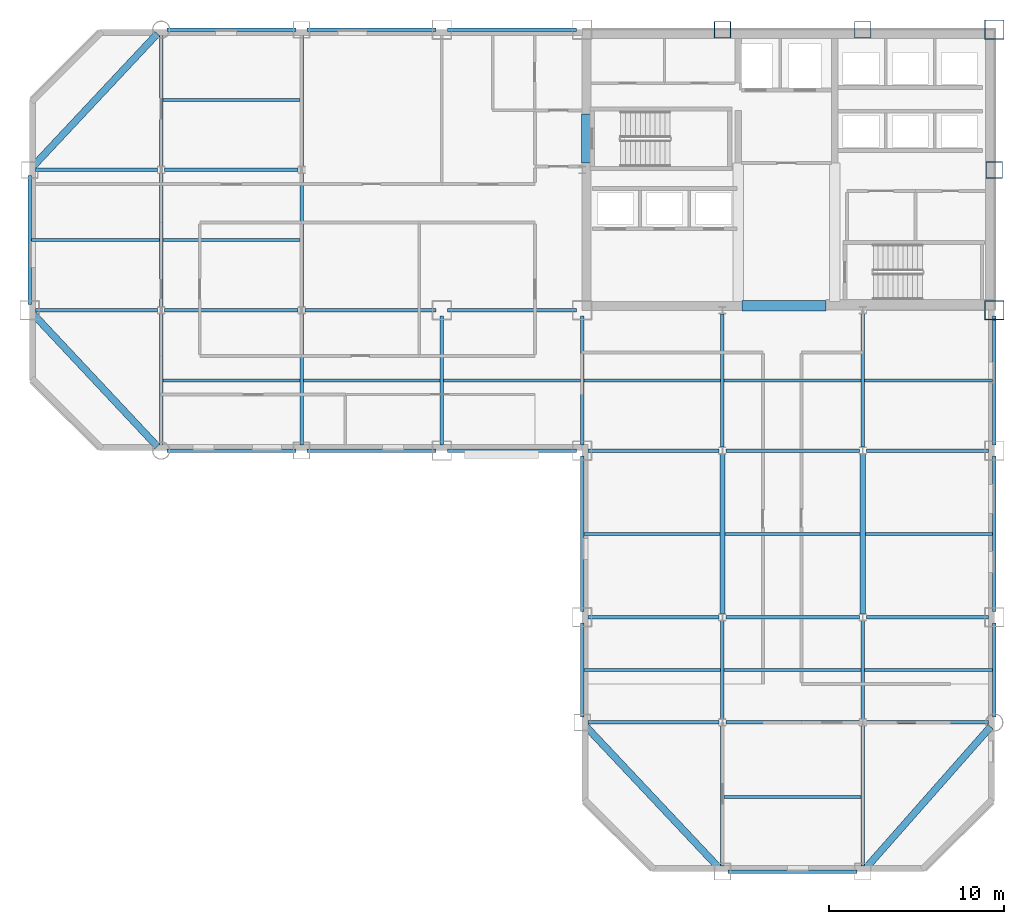
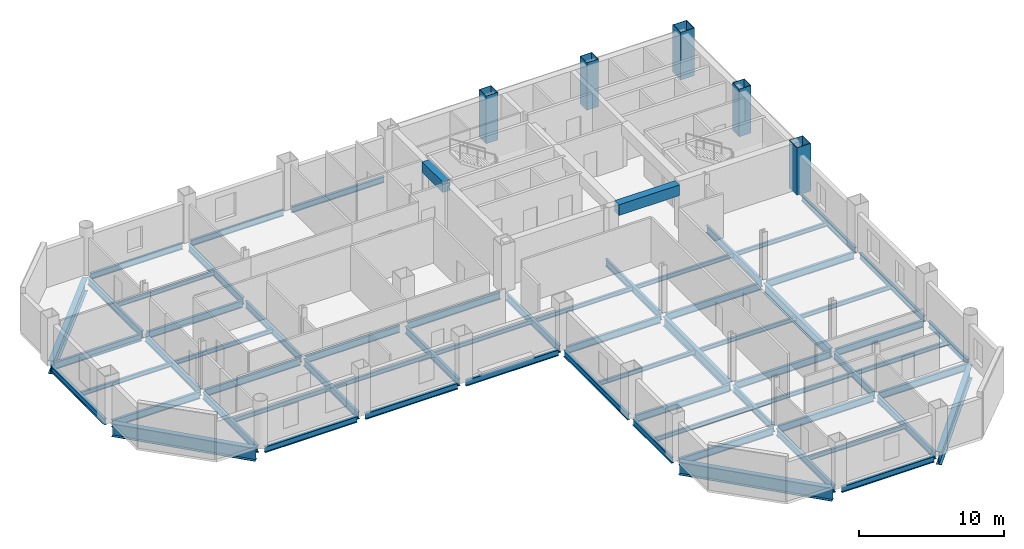
# One storey, part 4 of 10: 66 beams, 5 columns.
"""IFC4 building model written with IfcOpenShell, lengths in metres."""

import ifcopenshell
import ifcopenshell.guid

model = None  # the IFC model being written
_history = None  # IfcOwnerHistory: only IFC2X3 demands one
_inside = {}  # id of a spatial element -> (the spatial element, [elements in it])
_under = {}  # id of a project, library or spatial element -> (it, [spatial elements below it])
_declared = {}  # id of a project -> (the project, [libraries it declares])
_typed = {}  # id of a type object -> (the type object, [elements of that type])
_made_of = {}  # id of a material, layer set ... -> (it, [elements and type objects made of it])


def new_model(schema):
    """Start an empty IFC model of exactly this schema.

    Asked for "IFC4X3", IfcOpenShell would pick the latest addendum, in which some entities
    have other attributes; the version numbers below select the first issue.
    IFC2X3 requires an IfcOwnerHistory on every rooted entity: one is made here for all.
    """
    global model, _history
    if schema == "IFC4X3":
        model = ifcopenshell.file(schema_version=(4, 3, 0, 0))
    else:
        model = ifcopenshell.file(schema=schema)
    _inside.clear()
    _under.clear()
    _declared.clear()
    _typed.clear()
    _made_of.clear()
    _history = None
    if model.schema == "IFC2X3":
        org = make("IfcOrganization", Name="unknown")
        user = make(
            "IfcPersonAndOrganization",
            ThePerson=make("IfcPerson", FamilyName="unknown"),
            TheOrganization=org,
        )
        app = make(
            "IfcApplication",
            ApplicationDeveloper=org,
            Version="unknown",
            ApplicationFullName="unknown",
            ApplicationIdentifier="unknown",
        )
        _history = make(
            "IfcOwnerHistory",
            OwningUser=user,
            OwningApplication=app,
            ChangeAction="ADDED",
            CreationDate=0,
        )
    return model


def make(cls, **values):
    """One entity of the class cls with the attributes given. An attribute that is None is left unset."""
    return model.create_entity(
        cls, **{name: value for name, value in values.items() if value is not None}
    )


def rooted(cls, **values):
    """An entity with a GlobalId (a new one), such as an element, a storey or a relation."""
    return make(cls, GlobalId=ifcopenshell.guid.new(), OwnerHistory=_history, **values)


def si_unit(unit_type, name, prefix=None):
    """IfcSIUnit, for example si_unit("LENGTHUNIT", "METRE", prefix="MILLI")."""
    return make("IfcSIUnit", UnitType=unit_type, Prefix=prefix, Name=name)


def assignment(units):
    """IfcUnitAssignment: the units of a project."""
    return None if units is None else make("IfcUnitAssignment", Units=units)


def point(xyz):
    """IfcCartesianPoint."""
    return None if xyz is None else make("IfcCartesianPoint", Coordinates=xyz)


def direction(xyz):
    """IfcDirection."""
    return None if xyz is None else make("IfcDirection", DirectionRatios=xyz)


def frame(location, z_axis=None, x_axis=None):
    """IfcAxis2Placement3D, a coordinate frame: its origin and axes. An axis left out is left unset."""
    return make(
        "IfcAxis2Placement3D",
        Location=point(location),
        Axis=direction(z_axis),
        RefDirection=direction(x_axis),
    )


def frame_2d(location, x_axis=None):
    """IfcAxis2Placement2D, a coordinate frame in the plane: its origin and x axis."""
    return make(
        "IfcAxis2Placement2D", Location=point(location), RefDirection=direction(x_axis)
    )


def origin():
    """The frame at (0, 0, 0) with its axes left unset."""
    return frame((0.0, 0.0, 0.0))


def origin_2d():
    """The frame at (0, 0) in the plane with its x axis left unset."""
    return frame_2d((0.0, 0.0))


def place(relative_to, where):
    """IfcLocalPlacement: puts the frame where relative to a parent placement (None: the world)."""
    return make(
        "IfcLocalPlacement", PlacementRelTo=relative_to, RelativePlacement=where
    )


def context(
    kind, dimensions, precision=None, world=None, true_north=None, identifier=None
):
    """IfcGeometricRepresentationContext, for example the 3D "Model" context."""
    return make(
        "IfcGeometricRepresentationContext",
        ContextIdentifier=identifier,
        ContextType=kind,
        CoordinateSpaceDimension=dimensions,
        Precision=precision,
        WorldCoordinateSystem=world,
        TrueNorth=true_north,
    )


def subcontext(parent, identifier, kind, view, scale=None):
    """IfcGeometricRepresentationSubContext, for example "Body" below "Model"."""
    return make(
        "IfcGeometricRepresentationSubContext",
        ContextIdentifier=identifier,
        ContextType=kind,
        ParentContext=parent,
        TargetScale=scale,
        TargetView=view,
    )


def project(units=None, contexts=None):
    """IfcProject with its units and contexts."""
    return rooted(
        "IfcProject",
        Name="project",
        RepresentationContexts=contexts,
        UnitsInContext=assignment(units),
    )


def spatial(cls, under=None, at=None, **own):
    """A site, building, storey or space (cls), placed at a placement, below another one or the project."""
    s = rooted(cls, ObjectPlacement=at, **own)
    if under is not None:
        _under.setdefault(under.id(), (under, []))[1].append(s)
    return s


def profile(cls, at=None, kind="AREA", **sizes):
    """A parametric profile (cls). Its sizes go by their IFC names, for example OverallWidth=200.0."""
    return make(cls, ProfileType=kind, Position=at, **sizes)


def rectangle(**sizes):
    """IfcRectangleProfileDef."""
    return profile("IfcRectangleProfileDef", **sizes)


def hollow_rectangle(**sizes):
    """IfcRectangleHollowProfileDef."""
    return profile("IfcRectangleHollowProfileDef", **sizes)


def i_section(**sizes):
    """IfcIShapeProfileDef."""
    return profile("IfcIShapeProfileDef", **sizes)


def extrude(swept, where, along, depth):
    """IfcExtrudedAreaSolid: the profile swept, set in the frame where, extruded along a direction by depth."""
    return make(
        "IfcExtrudedAreaSolid",
        SweptArea=swept,
        Position=where,
        ExtrudedDirection=direction(along),
        Depth=depth,
    )


def shape(context_of_items, identifier, shape_type, items):
    """IfcShapeRepresentation: the items that make up one representation, for example the "Body"."""
    return make(
        "IfcShapeRepresentation",
        ContextOfItems=context_of_items,
        RepresentationIdentifier=identifier,
        RepresentationType=shape_type,
        Items=items,
    )


def material(Name=None, Category=None):
    """IfcMaterial."""
    return make("IfcMaterial", Name=Name, Category=Category)


def material_profile(
    of_material, cross_section, Name=None, Category=None, Priority=None
):
    """IfcMaterialProfile: a cross section and its material."""
    return make(
        "IfcMaterialProfile",
        Name=Name,
        Material=of_material,
        Profile=cross_section,
        Priority=Priority,
        Category=Category,
    )


def profile_set(profiles, Name=None, composite=None):
    """IfcMaterialProfileSet."""
    return make(
        "IfcMaterialProfileSet",
        Name=Name,
        MaterialProfiles=profiles,
        CompositeProfile=composite,
    )


def made_of(thing, what):
    """Note that an element or type object is made of a material, layer set ...; save() writes the relation."""
    if what is not None:
        _made_of.setdefault(what.id(), (what, []))[1].append(thing)
    return thing


def type_object(cls, material=None, **own):
    """A type object (cls), such as IfcWallType, which elements share."""
    return made_of(rooted(cls, **own), material)


def element(
    cls,
    number,
    at=None,
    inside=None,
    cuts=None,
    type_object=None,
    material=None,
    context=None,
    identifier="Body",
    shape_type=None,
    held_by="IfcProductDefinitionShape",
    body=None,
    shapes=None,
    **own,
):
    """One element of the class cls, such as IfcWall. Its Tag is "e" and its number.

    at: its placement. inside: the storey or other place that contains it. cuts: it is an
    opening in that element (IfcRelVoidsElement). A single representation is given by context,
    identifier, shape_type and body (its items); several are given by shapes. held_by: the class
    of the entity that holds the representations. save() writes the other relations.
    """
    e = rooted(cls, Tag="e%d" % number, ObjectPlacement=at, **own)
    if body is not None:
        shapes = [shape(context, identifier, shape_type, body)]
    if shapes is not None:
        e.Representation = make(held_by, Representations=shapes)
    if inside is not None:
        _inside.setdefault(inside.id(), (inside, []))[1].append(e)
    if cuts is not None:
        rooted(
            "IfcRelVoidsElement", RelatingBuildingElement=cuts, RelatedOpeningElement=e
        )
    if type_object is not None:
        _typed.setdefault(type_object.id(), (type_object, []))[1].append(e)
    return made_of(e, material)


def aggregate(whole, parts):
    """IfcRelAggregates: a whole, such as a stair, and the parts it consists of."""
    return rooted("IfcRelAggregates", RelatingObject=whole, RelatedObjects=parts)


def save(model, path):
    """Write the relations noted so far, then the file.

    IfcRelAggregates (storeys below a building ...), IfcRelContainedInSpatialStructure (elements
    in a storey), IfcRelDefinesByType, IfcRelAssociatesMaterial and IfcRelDeclares: one each for
    every whole, place, type object, material and project.
    """
    for whole, parts in _under.values():
        aggregate(whole, parts)
    for where, things in _inside.values():
        rooted(
            "IfcRelContainedInSpatialStructure",
            RelatedElements=things,
            RelatingStructure=where,
        )
    for kind, things in _typed.values():
        rooted("IfcRelDefinesByType", RelatedObjects=things, RelatingType=kind)
    for what, things in _made_of.values():
        rooted("IfcRelAssociatesMaterial", RelatedObjects=things, RelatingMaterial=what)
    for by, libraries in _declared.values():
        rooted("IfcRelDeclares", RelatingContext=by, RelatedDefinitions=libraries)
    model.write(path)


model = new_model("IFC4")

# Units and contexts
model_context = context("Model", 3, precision=1e-05, world=origin(), true_north=direction((0.0, 1.0)))
body_context = subcontext(model_context, "Body", "Model", "MODEL_VIEW")
ifc_project = project(units=[si_unit("LENGTHUNIT", "METRE"), si_unit("AREAUNIT", "SQUARE_METRE"), si_unit("VOLUMEUNIT", "CUBIC_METRE"), si_unit("PLANEANGLEUNIT", "RADIAN"), si_unit("MASSUNIT", "GRAM", prefix="KILO")], contexts=[model_context])

# Site, building, storey
site_placement = place(None, origin())
site = spatial("IfcSite", under=ifc_project, at=site_placement, CompositionType="ELEMENT")
building_placement = place(site_placement, origin())
building = spatial("IfcBuilding", under=site, at=building_placement, Name="Qianrong Seaharbour Tower", CompositionType="ELEMENT")
storey_placement = place(building_placement, frame((0.0, 0.0, 135.0)))
storey = spatial("IfcBuildingStorey", under=building, at=storey_placement, Name="L32", CompositionType="ELEMENT", Elevation=135.0)

# Columns
ifc_material_1 = material(Name="Structural steel SN490B", Category="steel")
ifc_material_profile_1 = material_profile(ifc_material_1, hollow_rectangle(XDim=1.10009765625, YDim=1.10009765625, WallThickness=0.0400390625, at=origin_2d()), Name="BOX1100x1100x40")
ifc_profile_set_1 = profile_set([ifc_material_profile_1], Name="Structural steel SN490B")
column_type_1 = type_object("IfcColumnType", Name="COL-CFT-1100", PredefinedType="COLUMN", material=ifc_profile_set_1)
for number, where, z_axis, x_axis, name in (
    (1, (64.0, 36.0, 0.0), (0.0, 0.0, 1.0), (1.0, 0.0, 0.0), "L32 Column MC-3 at G9/GF"),
    (2, (64.0, 52.0, 0.0), (0.0, 0.0, 1.0), (1.0, 0.0, 0.0), "L32 Column MC-3 at G9/GH"),
):
    element("IfcColumn", number, at=place(storey_placement, frame(where, z_axis=z_axis, x_axis=x_axis)), inside=storey, type_object=column_type_1, Name=name, PredefinedType="COLUMN", context=body_context, shape_type="SweptSolid", body=[
        extrude(hollow_rectangle(XDim=1.10009765625, YDim=1.10009765625, WallThickness=0.0400390625, at=origin_2d()), origin(), (0.0, 0.0, 1.0), 4.0),
    ])
ifc_material_profile_2 = material_profile(ifc_material_1, hollow_rectangle(XDim=0.949951171875, YDim=0.949951171875, WallThickness=0.035888671875, at=origin_2d()), Name="BOX950x950x36")
ifc_profile_set_2 = profile_set([ifc_material_profile_2], Name="Structural steel SN490B")
column_type_2 = type_object("IfcColumnType", Name="COL-PER-950", PredefinedType="COLUMN", material=ifc_profile_set_2)
for number, where, z_axis, x_axis, name in (
    (3, (48.5, 52.0, 0.0), (0.0, 0.0, 1.0), (1.0, 0.0, 0.0), "L32 Column PC-2 at G7/GH"),
    (4, (56.5, 52.0, 0.0), (0.0, 0.0, 1.0), (1.0, 0.0, 0.0), "L32 Column PC-2 at G8/GH"),
    (5, (64.0, 44.0, 0.0), (0.0, 0.0, 1.0), (1.0, 0.0, 0.0), "L32 Column PC-2 at G9/GG"),
):
    element("IfcColumn", number, at=place(storey_placement, frame(where, z_axis=z_axis, x_axis=x_axis)), inside=storey, type_object=column_type_2, Name=name, PredefinedType="COLUMN", context=body_context, shape_type="SweptSolid", body=[
        extrude(hollow_rectangle(XDim=0.949951171875, YDim=0.949951171875, WallThickness=0.035888671875, at=origin_2d()), origin(), (0.0, 0.0, 1.0), 4.0),
    ])

# Beams
ifc_material_profile_3 = material_profile(ifc_material_1, i_section(OverallWidth=0.199951171875, OverallDepth=0.60009765625, WebThickness=0.010986328125, FlangeThickness=0.01708984375, FilletRadius=0.02197265625, at=origin_2d()), Name="H600x200x11x17")
ifc_profile_set_3 = profile_set([ifc_material_profile_3], Name="Structural steel SN490B")
beam_type_1 = type_object("IfcBeamType", Name="BM-G-600", PredefinedType="BEAM", material=ifc_profile_set_3)
beam_1_placement = place(storey_placement, frame((40.820068359375, 12.5, -0.534912109375), z_axis=(1.0, 0.0, 0.0), x_axis=(0.0, 1.0, 0.0)))
element("IfcBeam", 6, at=beam_1_placement, inside=storey, type_object=beam_type_1, Name="L32 Primary Girder GC G6-G7", PredefinedType="BEAM", context=body_context, shape_type="SweptSolid", body=[
    extrude(i_section(OverallWidth=0.199951171875, OverallDepth=0.60009765625, WebThickness=0.010986328125, FlangeThickness=0.01708984375, FilletRadius=0.02197265625, at=origin_2d()), origin(), (0.0, 0.0, 1.0), 7.47998046875),
])
beam_2_placement = place(storey_placement, frame((48.699951171875, 12.5, -0.534912109375), z_axis=(1.0, 0.0, 0.0), x_axis=(0.0, 1.0, 0.0)))
element("IfcBeam", 7, at=beam_2_placement, inside=storey, type_object=beam_type_1, Name="L32 Primary Girder GC G7-G8", PredefinedType="BEAM", context=body_context, shape_type="SweptSolid", body=[
    extrude(i_section(OverallWidth=0.199951171875, OverallDepth=0.60009765625, WebThickness=0.010986328125, FlangeThickness=0.01708984375, FilletRadius=0.02197265625, at=origin_2d()), origin(), (0.0, 0.0, 1.0), 7.60009765625),
])
beam_3_placement = place(storey_placement, frame((56.699951171875, 12.5, -0.534912109375), z_axis=(1.0, 0.0, 0.0), x_axis=(0.0, 1.0, 0.0)))
element("IfcBeam", 8, at=beam_3_placement, inside=storey, type_object=beam_type_1, Name="L32 Primary Girder GC G8-G9", PredefinedType="BEAM", context=body_context, shape_type="SweptSolid", body=[
    extrude(i_section(OverallWidth=0.199951171875, OverallDepth=0.60009765625, WebThickness=0.010986328125, FlangeThickness=0.01708984375, FilletRadius=0.02197265625, at=origin_2d()), origin(), (0.0, 0.0, 1.0), 6.97998046875),
])
beam_4_placement = place(storey_placement, frame((40.820068359375, 18.5, -0.534912109375), z_axis=(1.0, 0.0, 0.0), x_axis=(0.0, 1.0, 0.0)))
element("IfcBeam", 9, at=beam_4_placement, inside=storey, type_object=beam_type_1, Name="L32 Primary Girder GD G6-G7", PredefinedType="BEAM", context=body_context, shape_type="SweptSolid", body=[
    extrude(i_section(OverallWidth=0.199951171875, OverallDepth=0.60009765625, WebThickness=0.010986328125, FlangeThickness=0.01708984375, FilletRadius=0.02197265625, at=origin_2d()), origin(), (0.0, 0.0, 1.0), 7.47998046875),
])
beam_5_placement = place(storey_placement, frame((48.699951171875, 18.5, -0.534912109375), z_axis=(1.0, 0.0, 0.0), x_axis=(0.0, 1.0, 0.0)))
element("IfcBeam", 10, at=beam_5_placement, inside=storey, type_object=beam_type_1, Name="L32 Primary Girder GD G7-G8", PredefinedType="BEAM", context=body_context, shape_type="SweptSolid", body=[
    extrude(i_section(OverallWidth=0.199951171875, OverallDepth=0.60009765625, WebThickness=0.010986328125, FlangeThickness=0.01708984375, FilletRadius=0.02197265625, at=origin_2d()), origin(), (0.0, 0.0, 1.0), 7.60009765625),
])
beam_6_placement = place(storey_placement, frame((56.699951171875, 18.5, -0.534912109375), z_axis=(1.0, 0.0, 0.0), x_axis=(0.0, 1.0, 0.0)))
element("IfcBeam", 11, at=beam_6_placement, inside=storey, type_object=beam_type_1, Name="L32 Primary Girder GD G8-G9", PredefinedType="BEAM", context=body_context, shape_type="SweptSolid", body=[
    extrude(i_section(OverallWidth=0.199951171875, OverallDepth=0.60009765625, WebThickness=0.010986328125, FlangeThickness=0.01708984375, FilletRadius=0.02197265625, at=origin_2d()), origin(), (0.0, 0.0, 1.0), 6.97998046875),
])
beam_7_placement = place(storey_placement, frame((40.820068359375, 28.0, -0.534912109375), z_axis=(1.0, 0.0, 0.0), x_axis=(0.0, 1.0, 0.0)))
element("IfcBeam", 12, at=beam_7_placement, inside=storey, type_object=beam_type_1, Name="L32 Primary Girder GE G6-G7", PredefinedType="BEAM", context=body_context, shape_type="SweptSolid", body=[
    extrude(i_section(OverallWidth=0.199951171875, OverallDepth=0.60009765625, WebThickness=0.010986328125, FlangeThickness=0.01708984375, FilletRadius=0.02197265625, at=origin_2d()), origin(), (0.0, 0.0, 1.0), 7.47998046875),
])
beam_8_placement = place(storey_placement, frame((48.699951171875, 28.0, -0.534912109375), z_axis=(1.0, 0.0, 0.0), x_axis=(0.0, 1.0, 0.0)))
element("IfcBeam", 13, at=beam_8_placement, inside=storey, type_object=beam_type_1, Name="L32 Primary Girder GE G7-G8", PredefinedType="BEAM", context=body_context, shape_type="SweptSolid", body=[
    extrude(i_section(OverallWidth=0.199951171875, OverallDepth=0.60009765625, WebThickness=0.010986328125, FlangeThickness=0.01708984375, FilletRadius=0.02197265625, at=origin_2d()), origin(), (0.0, 0.0, 1.0), 7.60009765625),
])
for number, where, z_axis, x_axis, name in (
    (14, (56.699951171875, 28.0, -0.534912109375), (1.0, 0.0, 0.0), (0.0, 1.0, 0.0), "L32 Primary Girder GE G8-G9"),
    (15, (9.320068359375, 36.0, -0.534912109375), (1.0, 0.0, 0.0), (0.0, 1.0, 0.0), "L32 Primary Girder GF G2-G3"),
):
    element("IfcBeam", number, at=place(storey_placement, frame(where, z_axis=z_axis, x_axis=x_axis)), inside=storey, type_object=beam_type_1, Name=name, PredefinedType="BEAM", context=body_context, shape_type="SweptSolid", body=[
        extrude(i_section(OverallWidth=0.199951171875, OverallDepth=0.60009765625, WebThickness=0.010986328125, FlangeThickness=0.01708984375, FilletRadius=0.02197265625, at=origin_2d()), origin(), (0.0, 0.0, 1.0), 6.97998046875),
    ])
beam_9_placement = place(storey_placement, frame((16.699951171875, 36.0, -0.534912109375), z_axis=(1.0, 0.0, 0.0), x_axis=(0.0, 1.0, 0.0)))
element("IfcBeam", 16, at=beam_9_placement, inside=storey, type_object=beam_type_1, Name="L32 Primary Girder GF G3-G4", PredefinedType="BEAM", context=body_context, shape_type="SweptSolid", body=[
    extrude(i_section(OverallWidth=0.199951171875, OverallDepth=0.60009765625, WebThickness=0.010986328125, FlangeThickness=0.01708984375, FilletRadius=0.02197265625, at=origin_2d()), origin(), (0.0, 0.0, 1.0), 7.60009765625),
])
beam_10_placement = place(storey_placement, frame((24.699951171875, 36.0, -0.534912109375), z_axis=(1.0, 0.0, 0.0), x_axis=(0.0, 1.0, 0.0)))
element("IfcBeam", 17, at=beam_10_placement, inside=storey, type_object=beam_type_1, Name="L32 Primary Girder GF G4-G5", PredefinedType="BEAM", context=body_context, shape_type="SweptSolid", body=[
    extrude(i_section(OverallWidth=0.199951171875, OverallDepth=0.60009765625, WebThickness=0.010986328125, FlangeThickness=0.01708984375, FilletRadius=0.02197265625, at=origin_2d()), origin(), (0.0, 0.0, 1.0), 7.47998046875),
])
beam_11_placement = place(storey_placement, frame((32.820068359375, 36.0, -0.534912109375), z_axis=(1.0, 0.0, 0.0), x_axis=(0.0, 1.0, 0.0)))
element("IfcBeam", 18, at=beam_11_placement, inside=storey, type_object=beam_type_1, Name="L32 Primary Girder GF G5-G6", PredefinedType="BEAM", context=body_context, shape_type="SweptSolid", body=[
    extrude(i_section(OverallWidth=0.199951171875, OverallDepth=0.60009765625, WebThickness=0.010986328125, FlangeThickness=0.01708984375, FilletRadius=0.02197265625, at=origin_2d()), origin(), (0.0, 0.0, 1.0), 7.35986328125),
])
beam_12_placement = place(storey_placement, frame((9.320068359375, 44.0, -0.534912109375), z_axis=(1.0, 0.0, 0.0), x_axis=(0.0, 1.0, 0.0)))
element("IfcBeam", 19, at=beam_12_placement, inside=storey, type_object=beam_type_1, Name="L32 Primary Girder GG G2-G3", PredefinedType="BEAM", context=body_context, shape_type="SweptSolid", body=[
    extrude(i_section(OverallWidth=0.199951171875, OverallDepth=0.60009765625, WebThickness=0.010986328125, FlangeThickness=0.01708984375, FilletRadius=0.02197265625, at=origin_2d()), origin(), (0.0, 0.0, 1.0), 6.97998046875),
])
beam_13_placement = place(storey_placement, frame((16.699951171875, 44.0, -0.534912109375), z_axis=(1.0, 0.0, 0.0), x_axis=(0.0, 1.0, 0.0)))
element("IfcBeam", 20, at=beam_13_placement, inside=storey, type_object=beam_type_1, Name="L32 Primary Girder GG G3-G4", PredefinedType="BEAM", context=body_context, shape_type="SweptSolid", body=[
    extrude(i_section(OverallWidth=0.199951171875, OverallDepth=0.60009765625, WebThickness=0.010986328125, FlangeThickness=0.01708984375, FilletRadius=0.02197265625, at=origin_2d()), origin(), (0.0, 0.0, 1.0), 7.60009765625),
])
beam_14_placement = place(storey_placement, frame((16.5, 28.320068359375, -0.534912109375), z_axis=(0.0, 1.0, 0.0), x_axis=(-1.0, 0.0, 0.0)))
element("IfcBeam", 21, at=beam_14_placement, inside=storey, type_object=beam_type_1, Name="L32 Primary Girder G3 GE-GF", PredefinedType="BEAM", context=body_context, shape_type="SweptSolid", body=[
    extrude(i_section(OverallWidth=0.199951171875, OverallDepth=0.60009765625, WebThickness=0.010986328125, FlangeThickness=0.01708984375, FilletRadius=0.02197265625, at=origin_2d()), origin(), (0.0, 0.0, 1.0), 7.47998046875),
])
beam_15_placement = place(storey_placement, frame((16.5, 36.199951171875, -0.534912109375), z_axis=(0.0, 1.0, 0.0), x_axis=(-1.0, 0.0, 0.0)))
element("IfcBeam", 22, at=beam_15_placement, inside=storey, type_object=beam_type_1, Name="L32 Primary Girder G3 GF-GG", PredefinedType="BEAM", context=body_context, shape_type="SweptSolid", body=[
    extrude(i_section(OverallWidth=0.199951171875, OverallDepth=0.60009765625, WebThickness=0.010986328125, FlangeThickness=0.01708984375, FilletRadius=0.02197265625, at=origin_2d()), origin(), (0.0, 0.0, 1.0), 7.60009765625),
])
for number, where, z_axis, x_axis, name in (
    (23, (16.5, 44.199951171875, -0.534912109375), (0.0, 1.0, 0.0), (-1.0, 0.0, 0.0), "L32 Primary Girder G3 GG-GH"),
    (24, (24.5, 28.320068359375, -0.534912109375), (0.0, 1.0, 0.0), (-1.0, 0.0, 0.0), "L32 Primary Girder G4 GE-GF"),
):
    element("IfcBeam", number, at=place(storey_placement, frame(where, z_axis=z_axis, x_axis=x_axis)), inside=storey, type_object=beam_type_1, Name=name, PredefinedType="BEAM", context=body_context, shape_type="SweptSolid", body=[
        extrude(i_section(OverallWidth=0.199951171875, OverallDepth=0.60009765625, WebThickness=0.010986328125, FlangeThickness=0.01708984375, FilletRadius=0.02197265625, at=origin_2d()), origin(), (0.0, 0.0, 1.0), 7.47998046875),
    ])
beam_16_placement = place(storey_placement, frame((24.5, 36.199951171875, -0.534912109375), z_axis=(0.0, 1.0, 0.0), x_axis=(-1.0, 0.0, 0.0)))
element("IfcBeam", 25, at=beam_16_placement, inside=storey, type_object=beam_type_1, Name="L32 Primary Girder G4 GF-GG", PredefinedType="BEAM", context=body_context, shape_type="SweptSolid", body=[
    extrude(i_section(OverallWidth=0.199951171875, OverallDepth=0.60009765625, WebThickness=0.010986328125, FlangeThickness=0.01708984375, FilletRadius=0.02197265625, at=origin_2d()), origin(), (0.0, 0.0, 1.0), 7.60009765625),
])
beam_17_placement = place(storey_placement, frame((24.5, 44.199951171875, -0.534912109375), z_axis=(0.0, 1.0, 0.0), x_axis=(-1.0, 0.0, 0.0)))
element("IfcBeam", 26, at=beam_17_placement, inside=storey, type_object=beam_type_1, Name="L32 Primary Girder G4 GG-GH", PredefinedType="BEAM", context=body_context, shape_type="SweptSolid", body=[
    extrude(i_section(OverallWidth=0.199951171875, OverallDepth=0.60009765625, WebThickness=0.010986328125, FlangeThickness=0.01708984375, FilletRadius=0.02197265625, at=origin_2d()), origin(), (0.0, 0.0, 1.0), 7.47998046875),
])
for number, where, z_axis, x_axis, name in (
    (27, (32.5, 28.320068359375, -0.534912109375), (0.0, 1.0, 0.0), (-1.0, 0.0, 0.0), "L32 Primary Girder G5 GE-GF"),
    (28, (40.5, 28.320068359375, -0.534912109375), (0.0, 1.0, 0.0), (-1.0, 0.0, 0.0), "L32 Primary Girder G6 GE-GF"),
):
    element("IfcBeam", number, at=place(storey_placement, frame(where, z_axis=z_axis, x_axis=x_axis)), inside=storey, type_object=beam_type_1, Name=name, PredefinedType="BEAM", context=body_context, shape_type="SweptSolid", body=[
        extrude(i_section(OverallWidth=0.199951171875, OverallDepth=0.60009765625, WebThickness=0.010986328125, FlangeThickness=0.01708984375, FilletRadius=0.02197265625, at=origin_2d()), origin(), (0.0, 0.0, 1.0), 7.35986328125),
    ])
beam_18_placement = place(storey_placement, frame((48.5, 4.320068359375, -0.534912109375), z_axis=(0.0, 1.0, 0.0), x_axis=(-1.0, 0.0, 0.0)))
element("IfcBeam", 29, at=beam_18_placement, inside=storey, type_object=beam_type_1, Name="L32 Primary Girder G7 GB-GC", PredefinedType="BEAM", context=body_context, shape_type="SweptSolid", body=[
    extrude(i_section(OverallWidth=0.199951171875, OverallDepth=0.60009765625, WebThickness=0.010986328125, FlangeThickness=0.01708984375, FilletRadius=0.02197265625, at=origin_2d()), origin(), (0.0, 0.0, 1.0), 7.97998046875),
])
beam_19_placement = place(storey_placement, frame((48.5, 12.699951171875, -0.534912109375), z_axis=(0.0, 1.0, 0.0), x_axis=(-1.0, 0.0, 0.0)))
element("IfcBeam", 30, at=beam_19_placement, inside=storey, type_object=beam_type_1, Name="L32 Primary Girder G7 GC-GD", PredefinedType="BEAM", context=body_context, shape_type="SweptSolid", body=[
    extrude(i_section(OverallWidth=0.199951171875, OverallDepth=0.60009765625, WebThickness=0.010986328125, FlangeThickness=0.01708984375, FilletRadius=0.02197265625, at=origin_2d()), origin(), (0.0, 0.0, 1.0), 5.60009765625),
])
beam_20_placement = place(storey_placement, frame((48.5, 28.199951171875, -0.534912109375), z_axis=(0.0, 1.0, 0.0), x_axis=(-1.0, 0.0, 0.0)))
element("IfcBeam", 31, at=beam_20_placement, inside=storey, type_object=beam_type_1, Name="L32 Primary Girder G7 GE-GF", PredefinedType="BEAM", context=body_context, shape_type="SweptSolid", body=[
    extrude(i_section(OverallWidth=0.199951171875, OverallDepth=0.60009765625, WebThickness=0.010986328125, FlangeThickness=0.01708984375, FilletRadius=0.02197265625, at=origin_2d()), origin(), (0.0, 0.0, 1.0), 7.60009765625),
])
beam_21_placement = place(storey_placement, frame((56.5, 4.320068359375, -0.534912109375), z_axis=(0.0, 1.0, 0.0), x_axis=(-1.0, 0.0, 0.0)))
element("IfcBeam", 32, at=beam_21_placement, inside=storey, type_object=beam_type_1, Name="L32 Primary Girder G8 GB-GC", PredefinedType="BEAM", context=body_context, shape_type="SweptSolid", body=[
    extrude(i_section(OverallWidth=0.199951171875, OverallDepth=0.60009765625, WebThickness=0.010986328125, FlangeThickness=0.01708984375, FilletRadius=0.02197265625, at=origin_2d()), origin(), (0.0, 0.0, 1.0), 7.97998046875),
])
beam_22_placement = place(storey_placement, frame((56.5, 12.699951171875, -0.534912109375), z_axis=(0.0, 1.0, 0.0), x_axis=(-1.0, 0.0, 0.0)))
element("IfcBeam", 33, at=beam_22_placement, inside=storey, type_object=beam_type_1, Name="L32 Primary Girder G8 GC-GD", PredefinedType="BEAM", context=body_context, shape_type="SweptSolid", body=[
    extrude(i_section(OverallWidth=0.199951171875, OverallDepth=0.60009765625, WebThickness=0.010986328125, FlangeThickness=0.01708984375, FilletRadius=0.02197265625, at=origin_2d()), origin(), (0.0, 0.0, 1.0), 5.60009765625),
])
beam_23_placement = place(storey_placement, frame((56.5, 28.199951171875, -0.534912109375), z_axis=(0.0, 1.0, 0.0), x_axis=(-1.0, 0.0, 0.0)))
element("IfcBeam", 34, at=beam_23_placement, inside=storey, type_object=beam_type_1, Name="L32 Primary Girder G8 GE-GF", PredefinedType="BEAM", context=body_context, shape_type="SweptSolid", body=[
    extrude(i_section(OverallWidth=0.199951171875, OverallDepth=0.60009765625, WebThickness=0.010986328125, FlangeThickness=0.01708984375, FilletRadius=0.02197265625, at=origin_2d()), origin(), (0.0, 0.0, 1.0), 7.60009765625),
])
ifc_material_profile_4 = material_profile(ifc_material_1, i_section(OverallWidth=0.300048828125, OverallDepth=0.800048828125, WebThickness=0.013916015625, FlangeThickness=0.02587890625, FilletRadius=0.028076171875, at=origin_2d()), Name="H800x300x14x26")
ifc_profile_set_4 = profile_set([ifc_material_profile_4], Name="Structural steel SN490B")
beam_type_2 = type_object("IfcBeamType", Name="BM-G-800", PredefinedType="BEAM", material=ifc_profile_set_4)
for number, where, z_axis, x_axis, name in (
    (35, (48.5, 18.699951171875, -0.635009765625), (0.0, 1.0, 0.0), (-1.0, 0.0, 0.0), "L32 Primary Girder G7 GD-GE"),
    (36, (56.5, 18.699951171875, -0.635009765625), (0.0, 1.0, 0.0), (-1.0, 0.0, 0.0), "L32 Primary Girder G8 GD-GE"),
):
    element("IfcBeam", number, at=place(storey_placement, frame(where, z_axis=z_axis, x_axis=x_axis)), inside=storey, type_object=beam_type_2, Name=name, PredefinedType="BEAM", context=body_context, shape_type="SweptSolid", body=[
        extrude(i_section(OverallWidth=0.300048828125, OverallDepth=0.800048828125, WebThickness=0.013916015625, FlangeThickness=0.02587890625, FilletRadius=0.028076171875, at=origin_2d()), origin(), (0.0, 0.0, 1.0), 9.10009765625),
    ])
ifc_material_2 = material(Name="Structural steel SN400B", Category="steel")
ifc_material_profile_5 = material_profile(ifc_material_2, i_section(OverallWidth=0.175048828125, OverallDepth=0.35009765625, WebThickness=0.007080078125, FlangeThickness=0.010986328125, FilletRadius=0.013916015625, at=origin_2d()), Name="H350x175x7x11")
ifc_profile_set_5 = profile_set([ifc_material_profile_5], Name="Structural steel SN400B")
beam_type_3 = type_object("IfcBeamType", Name="BM-J-350", PredefinedType="JOIST", material=ifc_profile_set_5)
beam_24_placement = place(storey_placement, frame((9.10009765625, 40.0, -0.409912109375), z_axis=(1.0, 0.0, 0.0), x_axis=(0.0, 1.0, 0.0)))
element("IfcBeam", 37, at=beam_24_placement, inside=storey, type_object=beam_type_3, Name="L32 Composite Floor Joist G2-G3/GF-GG", PredefinedType="JOIST", context=body_context, shape_type="SweptSolid", body=[
    extrude(i_section(OverallWidth=0.175048828125, OverallDepth=0.35009765625, WebThickness=0.007080078125, FlangeThickness=0.010986328125, FilletRadius=0.013916015625, at=origin_2d()), origin(), (0.0, 0.0, 1.0), 7.2998046875),
])
for number, where, z_axis, x_axis, name in (
    (38, (16.60009765625, 32.0, -0.409912109375), (1.0, 0.0, 0.0), (0.0, 1.0, 0.0), "L32 Composite Floor Joist G3-G4/GE-GF"),
    (39, (16.60009765625, 40.0, -0.409912109375), (1.0, 0.0, 0.0), (0.0, 1.0, 0.0), "L32 Composite Floor Joist G3-G4/GF-GG"),
    (40, (16.60009765625, 48.0, -0.409912109375), (1.0, 0.0, 0.0), (0.0, 1.0, 0.0), "L32 Composite Floor Joist G3-G4/GG-GH"),
    (41, (24.60009765625, 32.0, -0.409912109375), (1.0, 0.0, 0.0), (0.0, 1.0, 0.0), "L32 Composite Floor Joist G4-G5/GE-GF"),
    (42, (32.60009765625, 32.0, -0.409912109375), (1.0, 0.0, 0.0), (0.0, 1.0, 0.0), "L32 Composite Floor Joist G5-G6/GE-GF"),
    (43, (40.60009765625, 15.5, -0.409912109375), (1.0, 0.0, 0.0), (0.0, 1.0, 0.0), "L32 Composite Floor Joist G6-G7/GC-GD"),
):
    element("IfcBeam", number, at=place(storey_placement, frame(where, z_axis=z_axis, x_axis=x_axis)), inside=storey, type_object=beam_type_3, Name=name, PredefinedType="JOIST", context=body_context, shape_type="SweptSolid", body=[
        extrude(i_section(OverallWidth=0.175048828125, OverallDepth=0.35009765625, WebThickness=0.007080078125, FlangeThickness=0.010986328125, FilletRadius=0.013916015625, at=origin_2d()), origin(), (0.0, 0.0, 1.0), 7.7998046875),
    ])
beam_25_placement = place(storey_placement, frame((40.60009765625, 23.25, -0.409912109375), z_axis=(1.0, 0.0, 0.0), x_axis=(0.0, 1.0, 0.0)))
element("IfcBeam", 44, at=beam_25_placement, inside=storey, type_object=beam_type_3, Name="L32 Composite Floor Joist G6-G7/GD-GE", PredefinedType="JOIST", context=body_context, shape_type="SweptSolid", body=[
    extrude(i_section(OverallWidth=0.175048828125, OverallDepth=0.35009765625, WebThickness=0.007080078125, FlangeThickness=0.010986328125, FilletRadius=0.013916015625, at=origin_2d()), origin(), (0.0, 0.0, 1.0), 7.75),
])
for number, where, z_axis, x_axis, name in (
    (45, (40.60009765625, 32.0, -0.409912109375), (1.0, 0.0, 0.0), (0.0, 1.0, 0.0), "L32 Composite Floor Joist G6-G7/GE-GF"),
    (46, (48.60009765625, 8.25, -0.409912109375), (1.0, 0.0, 0.0), (0.0, 1.0, 0.0), "L32 Composite Floor Joist G7-G8/GB-GC"),
    (47, (48.60009765625, 15.5, -0.409912109375), (1.0, 0.0, 0.0), (0.0, 1.0, 0.0), "L32 Composite Floor Joist G7-G8/GC-GD"),
):
    element("IfcBeam", number, at=place(storey_placement, frame(where, z_axis=z_axis, x_axis=x_axis)), inside=storey, type_object=beam_type_3, Name=name, PredefinedType="JOIST", context=body_context, shape_type="SweptSolid", body=[
        extrude(i_section(OverallWidth=0.175048828125, OverallDepth=0.35009765625, WebThickness=0.007080078125, FlangeThickness=0.010986328125, FilletRadius=0.013916015625, at=origin_2d()), origin(), (0.0, 0.0, 1.0), 7.7998046875),
    ])
beam_26_placement = place(storey_placement, frame((48.64990234375, 23.25, -0.409912109375), z_axis=(1.0, 0.0, 0.0), x_axis=(0.0, 1.0, 0.0)))
element("IfcBeam", 48, at=beam_26_placement, inside=storey, type_object=beam_type_3, Name="L32 Composite Floor Joist G7-G8/GD-GE", PredefinedType="JOIST", context=body_context, shape_type="SweptSolid", body=[
    extrude(i_section(OverallWidth=0.175048828125, OverallDepth=0.35009765625, WebThickness=0.007080078125, FlangeThickness=0.010986328125, FilletRadius=0.013916015625, at=origin_2d()), origin(), (0.0, 0.0, 1.0), 7.7001953125),
])
beam_27_placement = place(storey_placement, frame((48.60009765625, 32.0, -0.409912109375), z_axis=(1.0, 0.0, 0.0), x_axis=(0.0, 1.0, 0.0)))
element("IfcBeam", 49, at=beam_27_placement, inside=storey, type_object=beam_type_3, Name="L32 Composite Floor Joist G7-G8/GE-GF", PredefinedType="JOIST", context=body_context, shape_type="SweptSolid", body=[
    extrude(i_section(OverallWidth=0.175048828125, OverallDepth=0.35009765625, WebThickness=0.007080078125, FlangeThickness=0.010986328125, FilletRadius=0.013916015625, at=origin_2d()), origin(), (0.0, 0.0, 1.0), 7.7998046875),
])
beam_28_placement = place(storey_placement, frame((56.60009765625, 15.5, -0.409912109375), z_axis=(1.0, 0.0, 0.0), x_axis=(0.0, 1.0, 0.0)))
element("IfcBeam", 50, at=beam_28_placement, inside=storey, type_object=beam_type_3, Name="L32 Composite Floor Joist G8-G9/GC-GD", PredefinedType="JOIST", context=body_context, shape_type="SweptSolid", body=[
    extrude(i_section(OverallWidth=0.175048828125, OverallDepth=0.35009765625, WebThickness=0.007080078125, FlangeThickness=0.010986328125, FilletRadius=0.013916015625, at=origin_2d()), origin(), (0.0, 0.0, 1.0), 7.2998046875),
])
beam_29_placement = place(storey_placement, frame((56.64990234375, 23.25, -0.409912109375), z_axis=(1.0, 0.0, 0.0), x_axis=(0.0, 1.0, 0.0)))
element("IfcBeam", 51, at=beam_29_placement, inside=storey, type_object=beam_type_3, Name="L32 Composite Floor Joist G8-G9/GD-GE", PredefinedType="JOIST", context=body_context, shape_type="SweptSolid", body=[
    extrude(i_section(OverallWidth=0.175048828125, OverallDepth=0.35009765625, WebThickness=0.007080078125, FlangeThickness=0.010986328125, FilletRadius=0.013916015625, at=origin_2d()), origin(), (0.0, 0.0, 1.0), 7.25),
])
beam_30_placement = place(storey_placement, frame((56.60009765625, 32.0, -0.409912109375), z_axis=(1.0, 0.0, 0.0), x_axis=(0.0, 1.0, 0.0)))
element("IfcBeam", 52, at=beam_30_placement, inside=storey, type_object=beam_type_3, Name="L32 Composite Floor Joist G8-G9/GE-GF", PredefinedType="JOIST", context=body_context, shape_type="SweptSolid", body=[
    extrude(i_section(OverallWidth=0.175048828125, OverallDepth=0.35009765625, WebThickness=0.007080078125, FlangeThickness=0.010986328125, FilletRadius=0.013916015625, at=origin_2d()), origin(), (0.0, 0.0, 1.0), 7.2998046875),
])
ifc_material_3 = material(Name="Concrete C70/85", Category="concrete")
ifc_material_profile_6 = material_profile(ifc_material_3, rectangle(XDim=0.60009765625, YDim=0.89990234375, at=origin_2d()), Name="RC600x900")
ifc_profile_set_6 = profile_set([ifc_material_profile_6], Name="Concrete C70/85")
beam_type_4 = type_object("IfcBeamType", Name="BM-LINTEL-900", PredefinedType="LINTEL", material=ifc_profile_set_6)
beam_31_placement = place(storey_placement, frame((40.75, 44.39990234375, 3.31494140625), z_axis=(0.0, 1.0, 0.0), x_axis=(-1.0, 0.0, 0.0)))
element("IfcBeam", 53, at=beam_31_placement, inside=storey, type_object=beam_type_4, Name="L32 Core Coupling Lintel Beam West", PredefinedType="LINTEL", context=body_context, shape_type="SweptSolid", body=[
    extrude(rectangle(XDim=0.60009765625, YDim=0.89990234375, at=origin_2d()), origin(), (0.0, 0.0, 1.0), 2.800048828125),
])
beam_32_placement = place(storey_placement, frame((49.60009765625, 36.25, 3.31494140625), z_axis=(1.0, 0.0, 0.0), x_axis=(0.0, 1.0, 0.0)))
element("IfcBeam", 54, at=beam_32_placement, inside=storey, type_object=beam_type_4, Name="L32 Core Coupling Lintel Beam CBC", PredefinedType="LINTEL", context=body_context, shape_type="SweptSolid", body=[
    extrude(rectangle(XDim=0.60009765625, YDim=0.89990234375, at=origin_2d()), origin(), (0.0, 0.0, 1.0), 4.7998046875),
])
ifc_material_profile_7 = material_profile(ifc_material_1, i_section(OverallWidth=0.199951171875, OverallDepth=0.5, WebThickness=0.010009765625, FlangeThickness=0.01611328125, FilletRadius=0.02001953125, at=origin_2d()), Name="H500x200x10x16")
ifc_profile_set_7 = profile_set([ifc_material_profile_7], Name="Structural steel SN490B")
beam_type_5 = type_object("IfcBeamType", Name="BM-SP-500", PredefinedType="SPANDREL", material=ifc_profile_set_7)
for number, where, z_axis, x_axis, name in (
    (55, (48.820068359375, 4.0, -0.485107421875), (1.0, 0.0, 0.0), (0.0, 1.0, 0.0), "L32 Spandrel Girder GB G7-G8"),
    (56, (16.820068359375, 28.0, -0.485107421875), (1.0, 0.0, 0.0), (0.0, 1.0, 0.0), "L32 Spandrel Girder GE G3-G4"),
    (57, (24.820068359375, 28.0, -0.485107421875), (1.0, 0.0, 0.0), (0.0, 1.0, 0.0), "L32 Spandrel Girder GE G4-G5"),
    (58, (32.820068359375, 28.0, -0.485107421875), (1.0, 0.0, 0.0), (0.0, 1.0, 0.0), "L32 Spandrel Girder GE G5-G6"),
    (59, (16.820068359375, 52.0, -0.485107421875), (1.0, 0.0, 0.0), (0.0, 1.0, 0.0), "L32 Spandrel Girder GH G3-G4"),
    (60, (24.820068359375, 52.0, -0.485107421875), (1.0, 0.0, 0.0), (0.0, 1.0, 0.0), "L32 Spandrel Girder GH G4-G5"),
    (61, (32.820068359375, 52.0, -0.485107421875), (1.0, 0.0, 0.0), (0.0, 1.0, 0.0), "L32 Spandrel Girder GH G5-G6"),
    (62, (9.0, 36.320068359375, -0.485107421875), (0.0, 1.0, 0.0), (-1.0, 0.0, 0.0), "L32 Spandrel Girder G2 GF-GG"),
):
    element("IfcBeam", number, at=place(storey_placement, frame(where, z_axis=z_axis, x_axis=x_axis)), inside=storey, type_object=beam_type_5, Name=name, PredefinedType="SPANDREL", context=body_context, shape_type="SweptSolid", body=[
        extrude(i_section(OverallWidth=0.199951171875, OverallDepth=0.5, WebThickness=0.010009765625, FlangeThickness=0.01611328125, FilletRadius=0.02001953125, at=origin_2d()), origin(), (0.0, 0.0, 1.0), 7.35986328125),
    ])
beam_33_placement = place(storey_placement, frame((40.5, 12.820068359375, -0.485107421875), z_axis=(0.0, 1.0, 0.0), x_axis=(-1.0, 0.0, 0.0)))
element("IfcBeam", 63, at=beam_33_placement, inside=storey, type_object=beam_type_5, Name="L32 Spandrel Girder G6 GC-GD", PredefinedType="SPANDREL", context=body_context, shape_type="SweptSolid", body=[
    extrude(i_section(OverallWidth=0.199951171875, OverallDepth=0.5, WebThickness=0.010009765625, FlangeThickness=0.01611328125, FilletRadius=0.02001953125, at=origin_2d()), origin(), (0.0, 0.0, 1.0), 5.35986328125),
])
beam_34_placement = place(storey_placement, frame((40.5, 18.820068359375, -0.485107421875), z_axis=(0.0, 1.0, 0.0), x_axis=(-1.0, 0.0, 0.0)))
element("IfcBeam", 64, at=beam_34_placement, inside=storey, type_object=beam_type_5, Name="L32 Spandrel Girder G6 GD-GE", PredefinedType="SPANDREL", context=body_context, shape_type="SweptSolid", body=[
    extrude(i_section(OverallWidth=0.199951171875, OverallDepth=0.5, WebThickness=0.010009765625, FlangeThickness=0.01611328125, FilletRadius=0.02001953125, at=origin_2d()), origin(), (0.0, 0.0, 1.0), 8.85986328125),
])
beam_35_placement = place(storey_placement, frame((64.0, 12.820068359375, -0.485107421875), z_axis=(0.0, 1.0, 0.0), x_axis=(-1.0, 0.0, 0.0)))
element("IfcBeam", 65, at=beam_35_placement, inside=storey, type_object=beam_type_5, Name="L32 Spandrel Girder G9 GC-GD", PredefinedType="SPANDREL", context=body_context, shape_type="SweptSolid", body=[
    extrude(i_section(OverallWidth=0.199951171875, OverallDepth=0.5, WebThickness=0.010009765625, FlangeThickness=0.01611328125, FilletRadius=0.02001953125, at=origin_2d()), origin(), (0.0, 0.0, 1.0), 5.35986328125),
])
beam_36_placement = place(storey_placement, frame((64.0, 18.820068359375, -0.485107421875), z_axis=(0.0, 1.0, 0.0), x_axis=(-1.0, 0.0, 0.0)))
element("IfcBeam", 66, at=beam_36_placement, inside=storey, type_object=beam_type_5, Name="L32 Spandrel Girder G9 GD-GE", PredefinedType="SPANDREL", context=body_context, shape_type="SweptSolid", body=[
    extrude(i_section(OverallWidth=0.199951171875, OverallDepth=0.5, WebThickness=0.010009765625, FlangeThickness=0.01611328125, FilletRadius=0.02001953125, at=origin_2d()), origin(), (0.0, 0.0, 1.0), 8.85986328125),
])
beam_37_placement = place(storey_placement, frame((64.0, 28.320068359375, -0.485107421875), z_axis=(0.0, 1.0, 0.0), x_axis=(-1.0, 0.0, 0.0)))
element("IfcBeam", 67, at=beam_37_placement, inside=storey, type_object=beam_type_5, Name="L32 Spandrel Girder G9 GE-GF", PredefinedType="SPANDREL", context=body_context, shape_type="SweptSolid", body=[
    extrude(i_section(OverallWidth=0.199951171875, OverallDepth=0.5, WebThickness=0.010009765625, FlangeThickness=0.01611328125, FilletRadius=0.02001953125, at=origin_2d()), origin(), (0.0, 0.0, 1.0), 7.35986328125),
])
ifc_material_profile_8 = material_profile(ifc_material_1, i_section(OverallWidth=0.39990234375, OverallDepth=1.10009765625, WebThickness=0.02001953125, FlangeThickness=0.035888671875, at=origin_2d()), Name="BH1100x400x20x36")
ifc_profile_set_8 = profile_set([ifc_material_profile_8], Name="Structural steel SN490B")
beam_type_6 = type_object("IfcBeamType", Name="BM-TG-1100", PredefinedType="BEAM", material=ifc_profile_set_8)
for number, where, z_axis, x_axis, name in (
    (68, (16.28125, 28.2333984375, -0.784912109375), (-0.683947420573, 0.729531305628, 0.0), (-0.729531305628, -0.683947420573, 0.0), "L32 Chamfer Corner Spandrel Girder G2/GE"),
    (69, (16.28125, 51.7666015625, -0.784912109375), (-0.683947420573, -0.729531305628, 0.0), (0.729531305628, -0.683947420573, 0.0), "L32 Chamfer Corner Spandrel Girder G2/GH"),
):
    element("IfcBeam", number, at=place(storey_placement, frame(where, z_axis=z_axis, x_axis=x_axis)), inside=storey, type_object=beam_type_6, Name=name, PredefinedType="BEAM", context=body_context, shape_type="SweptSolid", body=[
        extrude(i_section(OverallWidth=0.39990234375, OverallDepth=1.10009765625, WebThickness=0.02001953125, FlangeThickness=0.035888671875, at=origin_2d()), origin(), (0.0, 0.0, 1.0), 10.326171875),
    ])
beam_38_placement = place(storey_placement, frame((48.28076171875, 4.23291015625, -0.784912109375), z_axis=(-0.685361938021, 0.728202591256, 0.0), x_axis=(-0.728202591256, -0.685361938021, 0.0)))
element("IfcBeam", 70, at=beam_38_placement, inside=storey, type_object=beam_type_6, Name="L32 Chamfer Corner Spandrel Girder G6/GB", PredefinedType="BEAM", context=body_context, shape_type="SweptSolid", body=[
    extrude(i_section(OverallWidth=0.39990234375, OverallDepth=1.10009765625, WebThickness=0.02001953125, FlangeThickness=0.035888671875, at=origin_2d()), origin(), (0.0, 0.0, 1.0), 11.032958984375),
])
beam_39_placement = place(storey_placement, frame((56.711669921875, 4.239990234375, -0.784912109375), z_axis=(0.661630696334, 0.749829861815, 0.0), x_axis=(-0.749829861815, 0.661630696334, 0.0)))
element("IfcBeam", 71, at=beam_39_placement, inside=storey, type_object=beam_type_6, Name="L32 Chamfer Corner Spandrel Girder G9/GB", PredefinedType="BEAM", context=body_context, shape_type="SweptSolid", body=[
    extrude(i_section(OverallWidth=0.39990234375, OverallDepth=1.10009765625, WebThickness=0.02001953125, FlangeThickness=0.035888671875, at=origin_2d()), origin(), (0.0, 0.0, 1.0), 10.69580078125),
])

save(model, "model.ifc")
